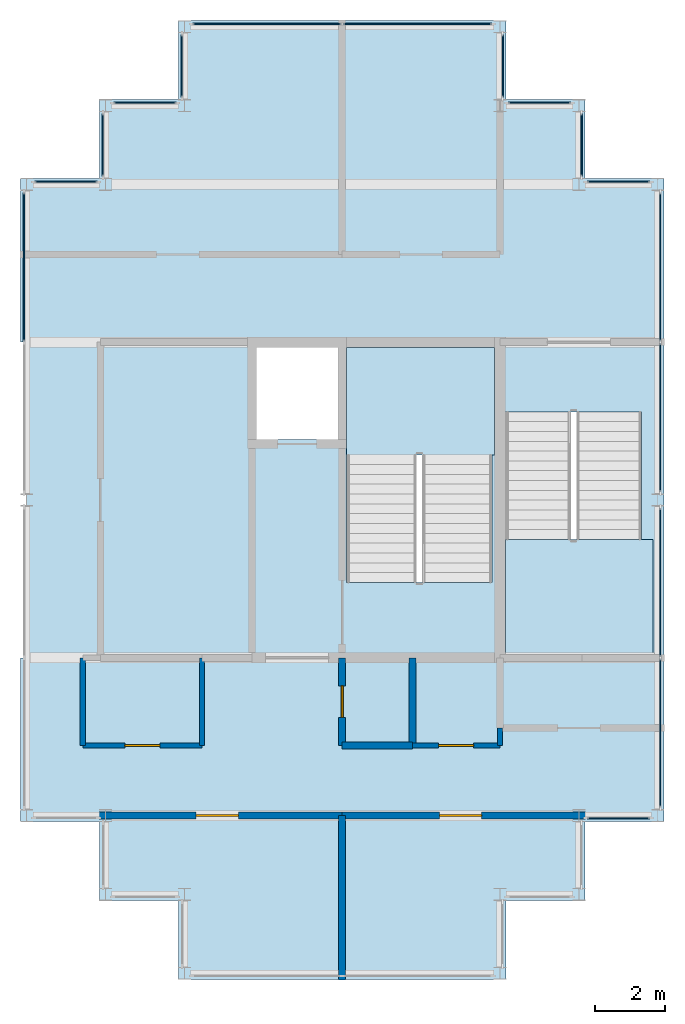
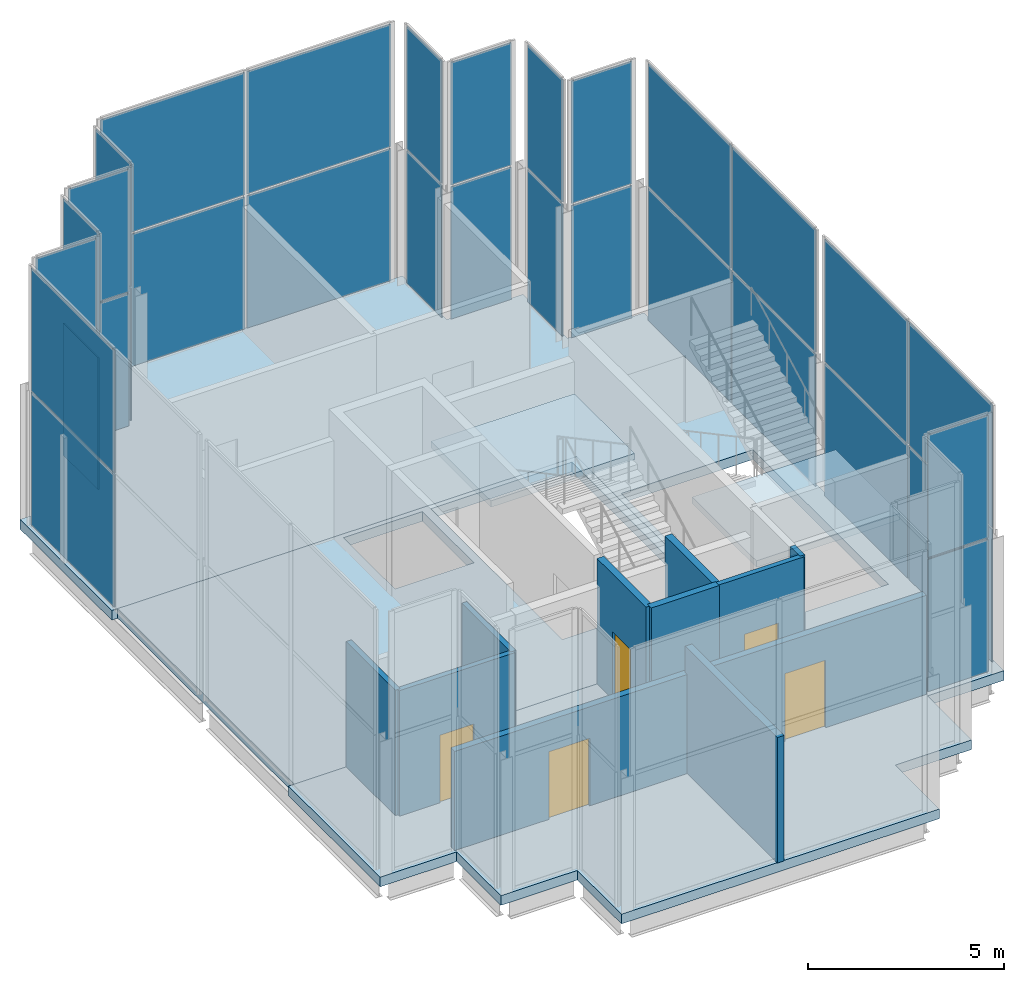
# One storey, part 4 of 8: 32 plates, 11 walls, 5 doors, 4 slabs, 5 openings, 15 elements without a shape of their own.
"""IFC4 building model written with IfcOpenShell, lengths in metres."""

from ifc_helpers import new_model, si_unit, direction, frame, frame_2d, origin, origin_2d, place, context, subcontext, project, spatial, polyline, rectangle, outline, extrude, material, layer, layer_set, type_object, element, fill, aggregate, save


model = new_model("IFC4")

# Units and contexts
model_context = context("Model", 3, precision=1e-05, world=origin(), true_north=direction((0.0, 1.0)))
body_context = subcontext(model_context, "Body", "Model", "MODEL_VIEW")
ifc_project = project(units=[si_unit("LENGTHUNIT", "METRE"), si_unit("AREAUNIT", "SQUARE_METRE"), si_unit("VOLUMEUNIT", "CUBIC_METRE"), si_unit("PLANEANGLEUNIT", "RADIAN"), si_unit("MASSUNIT", "GRAM", prefix="KILO")], contexts=[model_context])

# Site, building, storey
site_placement = place(None, origin())
site = spatial("IfcSite", under=ifc_project, at=site_placement, CompositionType="ELEMENT")
building_placement = place(site_placement, origin())
building = spatial("IfcBuilding", under=site, at=building_placement, Name="Caravel Reach Hotel and Residences", CompositionType="ELEMENT")
storey_placement = place(building_placement, frame((0.0, 0.0, 325.39990234375)))
storey = spatial("IfcBuildingStorey", under=building, at=storey_placement, Name="L82", CompositionType="ELEMENT", Elevation=325.39990234375)

# Curtain wall, plates
ifc_material_1 = material(Name="Dark low-e glazing in black aluminium frame", Category="aluminium")
ifc_layer_1 = layer(ifc_material_1, 0.199951171875)
ifc_layer_set_1 = layer_set([ifc_layer_1], Name="CW4 Crown glazing")
curtain_wall_type = type_object("IfcCurtainWallType", Name="CW4 Crown glazing", PredefinedType="NOTDEFINED", material=ifc_layer_set_1)
curtain_wall_1_placement = place(storey_placement, origin())
curtain_wall_1 = element("IfcCurtainWall", 1, at=curtain_wall_1_placement, inside=storey, type_object=curtain_wall_type, Name="Crown glazing b0", PredefinedType="NOTDEFINED")
ifc_material_2 = material(Name="Dark laminated low-e glass", Category="glass")
ifc_layer_2 = layer(ifc_material_2, 0.031982421875)
ifc_layer_set_2 = layer_set([ifc_layer_2], Name="CW glass panel 32")
plate_type = type_object("IfcPlateType", Name="CW glass panel 32", PredefinedType="CURTAIN_PANEL", material=ifc_layer_set_2)
plate_1_placement = place(storey_placement, frame((48.375, 17.925048828125, 0.06005859375), z_axis=(0.0, 0.0, 1.0), x_axis=(1.0, 0.0, 0.0)))
plate_1 = element("IfcPlate", 2, at=plate_1_placement, type_object=plate_type, Name="CW4 panel 1.1", PredefinedType="CURTAIN_PANEL", context=body_context, shape_type="SweptSolid", body=[
    extrude(rectangle(XDim=1.780029296875, YDim=0.031982421875, at=origin_2d()), origin(), (0.0, 0.0, 1.0), 4.110107421875),
])
plate_2_placement = place(storey_placement, frame((48.375, 17.925048828125, 4.22998046875), z_axis=(0.0, 0.0, 1.0), x_axis=(1.0, 0.0, 0.0)))
plate_2 = element("IfcPlate", 3, at=plate_2_placement, type_object=plate_type, Name="CW4 panel 1.2", PredefinedType="CURTAIN_PANEL", context=body_context, shape_type="SweptSolid", body=[
    extrude(rectangle(XDim=1.780029296875, YDim=0.031982421875, at=origin_2d()), origin(), (0.0, 0.0, 1.0), 3.81005859375),
])
aggregate(curtain_wall_1, [plate_1, plate_2])

curtain_wall_2_placement = place(storey_placement, origin())
curtain_wall_2 = element("IfcCurtainWall", 4, at=curtain_wall_2_placement, inside=storey, type_object=curtain_wall_type, Name="Crown glazing b0", PredefinedType="NOTDEFINED")
plate_3_placement = place(storey_placement, frame((49.574951171875, 20.3525390625, 0.06005859375), z_axis=(0.0, 0.0, 1.0), x_axis=(0.0, 1.0, 0.0)))
plate_3 = element("IfcPlate", 5, at=plate_3_placement, type_object=plate_type, Name="CW4 panel 1.1", PredefinedType="CURTAIN_PANEL", context=body_context, shape_type="SweptSolid", body=[
    extrude(rectangle(XDim=4.235107421875, YDim=0.031982421875, at=origin_2d()), origin(), (0.0, 0.0, 1.0), 4.110107421875),
])
plate_4_placement = place(storey_placement, frame((49.574951171875, 20.3525390625, 4.22998046875), z_axis=(0.0, 0.0, 1.0), x_axis=(0.0, 1.0, 0.0)))
plate_4 = element("IfcPlate", 6, at=plate_4_placement, type_object=plate_type, Name="CW4 panel 1.2", PredefinedType="CURTAIN_PANEL", context=body_context, shape_type="SweptSolid", body=[
    extrude(rectangle(XDim=4.235107421875, YDim=0.031982421875, at=origin_2d()), origin(), (0.0, 0.0, 1.0), 3.81005859375),
])
plate_5_placement = place(storey_placement, frame((49.574951171875, 24.6474609375, 0.06005859375), z_axis=(0.0, 0.0, 1.0), x_axis=(0.0, 1.0, 0.0)))
plate_5 = element("IfcPlate", 7, at=plate_5_placement, type_object=plate_type, Name="CW4 panel 2.1", PredefinedType="CURTAIN_PANEL", context=body_context, shape_type="SweptSolid", body=[
    extrude(rectangle(XDim=4.235107421875, YDim=0.031982421875, at=origin_2d()), origin(), (0.0, 0.0, 1.0), 4.110107421875),
])
plate_6_placement = place(storey_placement, frame((49.574951171875, 24.6474609375, 4.22998046875), z_axis=(0.0, 0.0, 1.0), x_axis=(0.0, 1.0, 0.0)))
plate_6 = element("IfcPlate", 8, at=plate_6_placement, type_object=plate_type, Name="CW4 panel 2.2", PredefinedType="CURTAIN_PANEL", context=body_context, shape_type="SweptSolid", body=[
    extrude(rectangle(XDim=4.235107421875, YDim=0.031982421875, at=origin_2d()), origin(), (0.0, 0.0, 1.0), 3.81005859375),
])
aggregate(curtain_wall_2, [plate_3, plate_4, plate_5, plate_6])

curtain_wall_3_placement = place(storey_placement, origin())
curtain_wall_3 = element("IfcCurtainWall", 9, at=curtain_wall_3_placement, inside=storey, type_object=curtain_wall_type, Name="Crown glazing b1", PredefinedType="NOTDEFINED")
plate_7_placement = place(storey_placement, frame((49.574951171875, 29.3525390625, 0.06005859375), z_axis=(0.0, 0.0, 1.0), x_axis=(0.0, 1.0, 0.0)))
plate_7 = element("IfcPlate", 10, at=plate_7_placement, type_object=plate_type, Name="CW4 panel 1.1", PredefinedType="CURTAIN_PANEL", context=body_context, shape_type="SweptSolid", body=[
    extrude(rectangle(XDim=4.235107421875, YDim=0.031982421875, at=origin_2d()), origin(), (0.0, 0.0, 1.0), 4.110107421875),
])
plate_8_placement = place(storey_placement, frame((49.574951171875, 29.3525390625, 4.22998046875), z_axis=(0.0, 0.0, 1.0), x_axis=(0.0, 1.0, 0.0)))
plate_8 = element("IfcPlate", 11, at=plate_8_placement, type_object=plate_type, Name="CW4 panel 1.2", PredefinedType="CURTAIN_PANEL", context=body_context, shape_type="SweptSolid", body=[
    extrude(rectangle(XDim=4.235107421875, YDim=0.031982421875, at=origin_2d()), origin(), (0.0, 0.0, 1.0), 3.81005859375),
])
plate_9_placement = place(storey_placement, frame((49.574951171875, 33.6474609375, 0.06005859375), z_axis=(0.0, 0.0, 1.0), x_axis=(0.0, 1.0, 0.0)))
plate_9 = element("IfcPlate", 12, at=plate_9_placement, type_object=plate_type, Name="CW4 panel 2.1", PredefinedType="CURTAIN_PANEL", context=body_context, shape_type="SweptSolid", body=[
    extrude(rectangle(XDim=4.235107421875, YDim=0.031982421875, at=origin_2d()), origin(), (0.0, 0.0, 1.0), 4.110107421875),
])
plate_10_placement = place(storey_placement, frame((49.574951171875, 33.6474609375, 4.22998046875), z_axis=(0.0, 0.0, 1.0), x_axis=(0.0, 1.0, 0.0)))
plate_10 = element("IfcPlate", 13, at=plate_10_placement, type_object=plate_type, Name="CW4 panel 2.2", PredefinedType="CURTAIN_PANEL", context=body_context, shape_type="SweptSolid", body=[
    extrude(rectangle(XDim=4.235107421875, YDim=0.031982421875, at=origin_2d()), origin(), (0.0, 0.0, 1.0), 3.81005859375),
])
aggregate(curtain_wall_3, [plate_7, plate_8, plate_9, plate_10])

curtain_wall_4_placement = place(storey_placement, origin())
curtain_wall_4 = element("IfcCurtainWall", 14, at=curtain_wall_4_placement, inside=storey, type_object=curtain_wall_type, Name="Crown glazing b0", PredefinedType="NOTDEFINED")
plate_11_placement = place(storey_placement, frame((48.375, 36.074951171875, 0.06005859375), z_axis=(0.0, 0.0, 1.0), x_axis=(-1.0, 0.0, 0.0)))
plate_11 = element("IfcPlate", 15, at=plate_11_placement, type_object=plate_type, Name="CW4 panel 1.1", PredefinedType="CURTAIN_PANEL", context=body_context, shape_type="SweptSolid", body=[
    extrude(rectangle(XDim=1.780029296875, YDim=0.031982421875, at=origin_2d()), origin(), (0.0, 0.0, 1.0), 4.110107421875),
])
plate_12_placement = place(storey_placement, frame((48.375, 36.074951171875, 4.22998046875), z_axis=(0.0, 0.0, 1.0), x_axis=(-1.0, 0.0, 0.0)))
plate_12 = element("IfcPlate", 16, at=plate_12_placement, type_object=plate_type, Name="CW4 panel 1.2", PredefinedType="CURTAIN_PANEL", context=body_context, shape_type="SweptSolid", body=[
    extrude(rectangle(XDim=1.780029296875, YDim=0.031982421875, at=origin_2d()), origin(), (0.0, 0.0, 1.0), 3.81005859375),
])
aggregate(curtain_wall_4, [plate_11, plate_12])

curtain_wall_5_placement = place(storey_placement, origin())
curtain_wall_5 = element("IfcCurtainWall", 17, at=curtain_wall_5_placement, inside=storey, type_object=curtain_wall_type, Name="Crown glazing b0", PredefinedType="NOTDEFINED")
plate_13_placement = place(storey_placement, frame((47.324951171875, 37.125, 0.06005859375), z_axis=(0.0, 0.0, 1.0), x_axis=(0.0, 1.0, 0.0)))
plate_13 = element("IfcPlate", 18, at=plate_13_placement, type_object=plate_type, Name="CW4 panel 1.1", PredefinedType="CURTAIN_PANEL", context=body_context, shape_type="SweptSolid", body=[
    extrude(rectangle(XDim=1.780029296875, YDim=0.031982421875, at=origin_2d()), origin(), (0.0, 0.0, 1.0), 4.110107421875),
])
plate_14_placement = place(storey_placement, frame((47.324951171875, 37.125, 4.22998046875), z_axis=(0.0, 0.0, 1.0), x_axis=(0.0, 1.0, 0.0)))
plate_14 = element("IfcPlate", 19, at=plate_14_placement, type_object=plate_type, Name="CW4 panel 1.2", PredefinedType="CURTAIN_PANEL", context=body_context, shape_type="SweptSolid", body=[
    extrude(rectangle(XDim=1.780029296875, YDim=0.031982421875, at=origin_2d()), origin(), (0.0, 0.0, 1.0), 3.81005859375),
])
aggregate(curtain_wall_5, [plate_13, plate_14])

curtain_wall_6_placement = place(storey_placement, origin())
curtain_wall_6 = element("IfcCurtainWall", 20, at=curtain_wall_6_placement, inside=storey, type_object=curtain_wall_type, Name="Crown glazing b0", PredefinedType="NOTDEFINED")
plate_15_placement = place(storey_placement, frame((46.125, 38.324951171875, 0.06005859375), z_axis=(0.0, 0.0, 1.0), x_axis=(-1.0, 0.0, 0.0)))
plate_15 = element("IfcPlate", 21, at=plate_15_placement, type_object=plate_type, Name="CW4 panel 1.1", PredefinedType="CURTAIN_PANEL", context=body_context, shape_type="SweptSolid", body=[
    extrude(rectangle(XDim=1.780029296875, YDim=0.031982421875, at=origin_2d()), origin(), (0.0, 0.0, 1.0), 4.110107421875),
])
plate_16_placement = place(storey_placement, frame((46.125, 38.324951171875, 4.22998046875), z_axis=(0.0, 0.0, 1.0), x_axis=(-1.0, 0.0, 0.0)))
plate_16 = element("IfcPlate", 22, at=plate_16_placement, type_object=plate_type, Name="CW4 panel 1.2", PredefinedType="CURTAIN_PANEL", context=body_context, shape_type="SweptSolid", body=[
    extrude(rectangle(XDim=1.780029296875, YDim=0.031982421875, at=origin_2d()), origin(), (0.0, 0.0, 1.0), 3.81005859375),
])
aggregate(curtain_wall_6, [plate_15, plate_16])

curtain_wall_7_placement = place(storey_placement, origin())
curtain_wall_7 = element("IfcCurtainWall", 23, at=curtain_wall_7_placement, inside=storey, type_object=curtain_wall_type, Name="Crown glazing b0", PredefinedType="NOTDEFINED")
plate_17_placement = place(storey_placement, frame((45.074951171875, 39.375, 0.06005859375), z_axis=(0.0, 0.0, 1.0), x_axis=(0.0, 1.0, 0.0)))
plate_17 = element("IfcPlate", 24, at=plate_17_placement, type_object=plate_type, Name="CW4 panel 1.1", PredefinedType="CURTAIN_PANEL", context=body_context, shape_type="SweptSolid", body=[
    extrude(rectangle(XDim=1.780029296875, YDim=0.031982421875, at=origin_2d()), origin(), (0.0, 0.0, 1.0), 4.110107421875),
])
plate_18_placement = place(storey_placement, frame((45.074951171875, 39.375, 4.22998046875), z_axis=(0.0, 0.0, 1.0), x_axis=(0.0, 1.0, 0.0)))
plate_18 = element("IfcPlate", 25, at=plate_18_placement, type_object=plate_type, Name="CW4 panel 1.2", PredefinedType="CURTAIN_PANEL", context=body_context, shape_type="SweptSolid", body=[
    extrude(rectangle(XDim=1.780029296875, YDim=0.031982421875, at=origin_2d()), origin(), (0.0, 0.0, 1.0), 3.81005859375),
])
aggregate(curtain_wall_7, [plate_17, plate_18])

curtain_wall_8_placement = place(storey_placement, origin())
curtain_wall_8 = element("IfcCurtainWall", 26, at=curtain_wall_8_placement, inside=storey, type_object=curtain_wall_type, Name="Crown glazing b0", PredefinedType="NOTDEFINED")
plate_19_placement = place(storey_placement, frame((42.6474609375, 40.574951171875, 0.06005859375), z_axis=(0.0, 0.0, 1.0), x_axis=(-1.0, 0.0, 0.0)))
plate_19 = element("IfcPlate", 27, at=plate_19_placement, type_object=plate_type, Name="CW4 panel 1.1", PredefinedType="CURTAIN_PANEL", context=body_context, shape_type="SweptSolid", body=[
    extrude(rectangle(XDim=4.235107421875, YDim=0.031982421875, at=origin_2d()), origin(), (0.0, 0.0, 1.0), 4.110107421875),
])
plate_20_placement = place(storey_placement, frame((42.6474609375, 40.574951171875, 4.22998046875), z_axis=(0.0, 0.0, 1.0), x_axis=(-1.0, 0.0, 0.0)))
plate_20 = element("IfcPlate", 28, at=plate_20_placement, type_object=plate_type, Name="CW4 panel 1.2", PredefinedType="CURTAIN_PANEL", context=body_context, shape_type="SweptSolid", body=[
    extrude(rectangle(XDim=4.235107421875, YDim=0.031982421875, at=origin_2d()), origin(), (0.0, 0.0, 1.0), 3.81005859375),
])
plate_21_placement = place(storey_placement, frame((38.3525390625, 40.574951171875, 0.06005859375), z_axis=(0.0, 0.0, 1.0), x_axis=(-1.0, 0.0, 0.0)))
plate_21 = element("IfcPlate", 29, at=plate_21_placement, type_object=plate_type, Name="CW4 panel 2.1", PredefinedType="CURTAIN_PANEL", context=body_context, shape_type="SweptSolid", body=[
    extrude(rectangle(XDim=4.235107421875, YDim=0.031982421875, at=origin_2d()), origin(), (0.0, 0.0, 1.0), 4.110107421875),
])
plate_22_placement = place(storey_placement, frame((38.3525390625, 40.574951171875, 4.22998046875), z_axis=(0.0, 0.0, 1.0), x_axis=(-1.0, 0.0, 0.0)))
plate_22 = element("IfcPlate", 30, at=plate_22_placement, type_object=plate_type, Name="CW4 panel 2.2", PredefinedType="CURTAIN_PANEL", context=body_context, shape_type="SweptSolid", body=[
    extrude(rectangle(XDim=4.235107421875, YDim=0.031982421875, at=origin_2d()), origin(), (0.0, 0.0, 1.0), 3.81005859375),
])
aggregate(curtain_wall_8, [plate_19, plate_20, plate_21, plate_22])

curtain_wall_9_placement = place(storey_placement, origin())
curtain_wall_9 = element("IfcCurtainWall", 31, at=curtain_wall_9_placement, inside=storey, type_object=curtain_wall_type, Name="Crown glazing b0", PredefinedType="NOTDEFINED")
plate_23_placement = place(storey_placement, frame((35.925048828125, 39.375, 0.06005859375), z_axis=(0.0, 0.0, 1.0), x_axis=(0.0, -1.0, 0.0)))
plate_23 = element("IfcPlate", 32, at=plate_23_placement, type_object=plate_type, Name="CW4 panel 1.1", PredefinedType="CURTAIN_PANEL", context=body_context, shape_type="SweptSolid", body=[
    extrude(rectangle(XDim=1.780029296875, YDim=0.031982421875, at=origin_2d()), origin(), (0.0, 0.0, 1.0), 4.110107421875),
])
plate_24_placement = place(storey_placement, frame((35.925048828125, 39.375, 4.22998046875), z_axis=(0.0, 0.0, 1.0), x_axis=(0.0, -1.0, 0.0)))
plate_24 = element("IfcPlate", 33, at=plate_24_placement, type_object=plate_type, Name="CW4 panel 1.2", PredefinedType="CURTAIN_PANEL", context=body_context, shape_type="SweptSolid", body=[
    extrude(rectangle(XDim=1.780029296875, YDim=0.031982421875, at=origin_2d()), origin(), (0.0, 0.0, 1.0), 3.81005859375),
])
aggregate(curtain_wall_9, [plate_23, plate_24])

curtain_wall_10_placement = place(storey_placement, origin())
curtain_wall_10 = element("IfcCurtainWall", 34, at=curtain_wall_10_placement, inside=storey, type_object=curtain_wall_type, Name="Crown glazing b0", PredefinedType="NOTDEFINED")
plate_25_placement = place(storey_placement, frame((34.875, 38.324951171875, 0.06005859375), z_axis=(0.0, 0.0, 1.0), x_axis=(-1.0, 0.0, 0.0)))
plate_25 = element("IfcPlate", 35, at=plate_25_placement, type_object=plate_type, Name="CW4 panel 1.1", PredefinedType="CURTAIN_PANEL", context=body_context, shape_type="SweptSolid", body=[
    extrude(rectangle(XDim=1.780029296875, YDim=0.031982421875, at=origin_2d()), origin(), (0.0, 0.0, 1.0), 4.110107421875),
])
plate_26_placement = place(storey_placement, frame((34.875, 38.324951171875, 4.22998046875), z_axis=(0.0, 0.0, 1.0), x_axis=(-1.0, 0.0, 0.0)))
plate_26 = element("IfcPlate", 36, at=plate_26_placement, type_object=plate_type, Name="CW4 panel 1.2", PredefinedType="CURTAIN_PANEL", context=body_context, shape_type="SweptSolid", body=[
    extrude(rectangle(XDim=1.780029296875, YDim=0.031982421875, at=origin_2d()), origin(), (0.0, 0.0, 1.0), 3.81005859375),
])
aggregate(curtain_wall_10, [plate_25, plate_26])

curtain_wall_11_placement = place(storey_placement, origin())
curtain_wall_11 = element("IfcCurtainWall", 37, at=curtain_wall_11_placement, inside=storey, type_object=curtain_wall_type, Name="Crown glazing b0", PredefinedType="NOTDEFINED")
plate_27_placement = place(storey_placement, frame((33.675048828125, 37.125, 0.06005859375), z_axis=(0.0, 0.0, 1.0), x_axis=(0.0, -1.0, 0.0)))
plate_27 = element("IfcPlate", 38, at=plate_27_placement, type_object=plate_type, Name="CW4 panel 1.1", PredefinedType="CURTAIN_PANEL", context=body_context, shape_type="SweptSolid", body=[
    extrude(rectangle(XDim=1.780029296875, YDim=0.031982421875, at=origin_2d()), origin(), (0.0, 0.0, 1.0), 4.110107421875),
])
plate_28_placement = place(storey_placement, frame((33.675048828125, 37.125, 4.22998046875), z_axis=(0.0, 0.0, 1.0), x_axis=(0.0, -1.0, 0.0)))
plate_28 = element("IfcPlate", 39, at=plate_28_placement, type_object=plate_type, Name="CW4 panel 1.2", PredefinedType="CURTAIN_PANEL", context=body_context, shape_type="SweptSolid", body=[
    extrude(rectangle(XDim=1.780029296875, YDim=0.031982421875, at=origin_2d()), origin(), (0.0, 0.0, 1.0), 3.81005859375),
])
aggregate(curtain_wall_11, [plate_27, plate_28])

curtain_wall_12_placement = place(storey_placement, origin())
curtain_wall_12 = element("IfcCurtainWall", 40, at=curtain_wall_12_placement, inside=storey, type_object=curtain_wall_type, Name="Crown glazing b0", PredefinedType="NOTDEFINED")
plate_29_placement = place(storey_placement, frame((32.625, 36.074951171875, 0.06005859375), z_axis=(0.0, 0.0, 1.0), x_axis=(-1.0, 0.0, 0.0)))
plate_29 = element("IfcPlate", 41, at=plate_29_placement, type_object=plate_type, Name="CW4 panel 1.1", PredefinedType="CURTAIN_PANEL", context=body_context, shape_type="SweptSolid", body=[
    extrude(rectangle(XDim=1.780029296875, YDim=0.031982421875, at=origin_2d()), origin(), (0.0, 0.0, 1.0), 4.110107421875),
])
plate_30_placement = place(storey_placement, frame((32.625, 36.074951171875, 4.22998046875), z_axis=(0.0, 0.0, 1.0), x_axis=(-1.0, 0.0, 0.0)))
plate_30 = element("IfcPlate", 42, at=plate_30_placement, type_object=plate_type, Name="CW4 panel 1.2", PredefinedType="CURTAIN_PANEL", context=body_context, shape_type="SweptSolid", body=[
    extrude(rectangle(XDim=1.780029296875, YDim=0.031982421875, at=origin_2d()), origin(), (0.0, 0.0, 1.0), 3.81005859375),
])
aggregate(curtain_wall_12, [plate_29, plate_30])

curtain_wall_13_placement = place(storey_placement, origin())
curtain_wall_13 = element("IfcCurtainWall", 43, at=curtain_wall_13_placement, inside=storey, type_object=curtain_wall_type, Name="Crown glazing b0", PredefinedType="NOTDEFINED")
plate_31_placement = place(storey_placement, frame((31.425048828125, 33.6474609375, 0.06005859375), z_axis=(0.0, 0.0, 1.0), x_axis=(0.0, -1.0, 0.0)))
plate_31 = element("IfcPlate", 44, at=plate_31_placement, type_object=plate_type, Name="CW4 panel 1.1", PredefinedType="CURTAIN_PANEL", context=body_context, shape_type="SweptSolid", body=[
    extrude(rectangle(XDim=4.235107421875, YDim=0.031982421875, at=origin_2d()), origin(), (0.0, 0.0, 1.0), 4.110107421875),
])
plate_32_placement = place(storey_placement, frame((31.425048828125, 33.6474609375, 4.22998046875), z_axis=(0.0, 0.0, 1.0), x_axis=(0.0, -1.0, 0.0)))
plate_32 = element("IfcPlate", 45, at=plate_32_placement, type_object=plate_type, Name="CW4 panel 1.2", PredefinedType="CURTAIN_PANEL", context=body_context, shape_type="SweptSolid", body=[
    extrude(rectangle(XDim=4.235107421875, YDim=0.031982421875, at=origin_2d()), origin(), (0.0, 0.0, 1.0), 3.81005859375),
])
aggregate(curtain_wall_13, [plate_31, plate_32])

# Slab
ifc_material_3 = material(Name="Concrete C40", Category="concrete")
ifc_layer_3 = layer(ifc_material_3, 0.300048828125)
ifc_layer_set_3 = layer_set([ifc_layer_3], Name="Core floor slab 300 mm")
slab_type_1 = type_object("IfcSlabType", Name="Core floor slab 300 mm", PredefinedType="FLOOR", material=ifc_layer_set_3)
slab_1_placement = place(storey_placement, frame((0.0, 0.0, -0.2998046875)))
element("IfcSlab", 46, at=slab_1_placement, inside=storey, type_object=slab_type_1, Name="L82 core floor", PredefinedType="FLOOR", context=body_context, shape_type="SweptSolid", body=[
    extrude(outline(polyline([(45.0, 22.5), (31.5, 22.5), (31.5, 31.5), (45.0, 31.5), (45.0, 22.5)]), holes=[polyline([(44.77490234375, 24.64990234375), (44.77490234375, 31.35009765625), (40.625, 31.35009765625), (40.625, 24.64990234375), (44.77490234375, 24.64990234375)]), polyline([(40.375, 28.72509765625), (40.375, 31.35009765625), (38.0537109375, 31.35009765625), (38.0537109375, 28.72509765625), (40.375, 28.72509765625)])]), origin(), (0.0, 0.0, 1.0), 0.2998046875),
])

# Stair, slab
ifc_material_4 = material(Name="Concrete C40", Category="concrete")
stair_type = type_object("IfcStairType", Name="Core stair", PredefinedType="HALF_TURN_STAIR", material=ifc_material_4)
stair_1_placement = place(storey_placement, origin())
stair_1 = element("IfcStair", 47, at=stair_1_placement, inside=storey, type_object=stair_type, Name="L82 Exit stair B", PredefinedType="HALF_TURN_STAIR")
ifc_material_5 = material(Name="Concrete C40", Category="concrete")
ifc_layer_4 = layer(ifc_material_5, 0.199951171875)
ifc_layer_set_4 = layer_set([ifc_layer_4], Name="Core stair landing")
slab_type_2 = type_object("IfcSlabType", Name="Core stair landing", PredefinedType="LANDING", material=ifc_layer_set_4)
slab_2_placement = place(storey_placement, frame((0.0, 0.0, 1.900146484375)))
slab_2 = element("IfcSlab", 48, at=slab_2_placement, type_object=slab_type_2, Name="ST-B landing 1", PredefinedType="LANDING", context=body_context, shape_type="SweptSolid", body=[
    extrude(outline(polyline([(44.85009765625, 28.2900390625), (44.85009765625, 31.35009765625), (40.625, 31.35009765625), (40.625, 28.2900390625), (44.85009765625, 28.2900390625)])), origin(), (0.0, 0.0, 1.0), 0.199951171875),
])
aggregate(stair_1, [slab_2])

stair_2_placement = place(storey_placement, origin())
stair_2 = element("IfcStair", 49, at=stair_2_placement, inside=storey, type_object=stair_type, Name="L82 Exit stair C", PredefinedType="HALF_TURN_STAIR")
slab_3_placement = place(storey_placement, frame((0.0, 0.0, 1.900146484375)))
slab_3 = element("IfcSlab", 50, at=slab_3_placement, type_object=slab_type_2, Name="ST-C landing 1", PredefinedType="LANDING", context=body_context, shape_type="SweptSolid", body=[
    extrude(outline(polyline([(45.14990234375, 25.875), (45.14990234375, 22.60009765625), (49.3701171875, 22.60009765625), (49.3701171875, 25.875), (45.14990234375, 25.875)])), origin(), (0.0, 0.0, 1.0), 0.199951171875),
])
aggregate(stair_2, [slab_3])

# Slab
ifc_material_6 = material(Name="Concrete C40 post-tensioned", Category="concrete")
ifc_layer_5 = layer(ifc_material_6, 0.300048828125)
ifc_layer_set_5 = layer_set([ifc_layer_5], Name="Floor slab 300")
slab_type_3 = type_object("IfcSlabType", Name="Floor slab 300", PredefinedType="FLOOR", material=ifc_layer_set_5)
slab_4_placement = place(storey_placement, frame((0.0, 0.0, -0.2998046875)))
element("IfcSlab", 51, at=slab_4_placement, inside=storey, type_object=slab_type_3, Name="S2 slab L82", PredefinedType="FLOOR", context=body_context, shape_type="SweptSolid", body=[
    extrude(outline(polyline([(33.574951171875, 17.824951171875), (31.324951171875, 17.824951171875), (31.324951171875, 22.5), (40.5, 22.5), (45.0, 22.5), (45.0, 31.5), (40.5, 31.5), (31.324951171875, 31.5), (31.324951171875, 36.175048828125), (33.574951171875, 36.175048828125), (33.574951171875, 38.425048828125), (35.824951171875, 38.425048828125), (35.824951171875, 40.675048828125), (45.175048828125, 40.675048828125), (45.175048828125, 38.425048828125), (47.425048828125, 38.425048828125), (47.425048828125, 36.175048828125), (49.675048828125, 36.175048828125), (49.675048828125, 17.824951171875), (47.425048828125, 17.824951171875), (47.425048828125, 15.574951171875), (45.175048828125, 15.574951171875), (45.175048828125, 13.324951171875), (35.824951171875, 13.324951171875), (35.824951171875, 15.574951171875), (33.574951171875, 15.574951171875), (33.574951171875, 17.824951171875)]), holes=[polyline([(45.159912109375, 22.6201171875), (49.0400390625, 22.6201171875), (49.0400390625, 29.514892578125), (45.159912109375, 29.514892578125), (45.159912109375, 22.6201171875)])]), origin(), (0.0, 0.0, 1.0), 0.2998046875),
])

# Wall, opening, door
ifc_material_7 = material(Name="Autoclaved aerated block wall")
ifc_layer_6 = layer(ifc_material_7, 0.199951171875)
ifc_layer_set_6 = layer_set([ifc_layer_6], Name="Compartment wall 200 mm EI 120")
wall_type_1 = type_object("IfcWallType", Name="Compartment wall 200 mm EI 120", PredefinedType="PARTITIONING", material=ifc_layer_set_6)
wall_1_placement = place(storey_placement, frame((33.56005859375, 18.0, 0.0), z_axis=(0.0, 0.0, 1.0), x_axis=(1.0, 0.0, 0.0)))
wall_1 = element("IfcWall", 52, at=wall_1_placement, inside=storey, type_object=wall_type_1, Name="L82 wall w007", PredefinedType="PARTITIONING", context=body_context, shape_type="SweptSolid", body=[
    extrude(rectangle(XDim=6.93994140625, YDim=0.199951171875, at=frame_2d((3.469970703125, 0.0))), origin(), (0.0, 0.0, 1.0), 3.080078125),
])
opening_1_placement = place(wall_1_placement, frame((2.77490234375, 0.0, 0.0)))
opening_1 = element("IfcOpeningElement", 53, at=opening_1_placement, cuts=wall_1, Name="Opening D82-007", PredefinedType="OPENING", context=body_context, shape_type="SweptSolid", body=[
    extrude(rectangle(XDim=1.199951171875, YDim=2.10009765625, at=frame_2d((0.60009765625, 1.050048828125))), frame((0.0, 0.10986328125, 0.0), z_axis=(0.0, -1.0, 0.0), x_axis=(1.0, 0.0, 0.0)), (0.0, 0.0, 1.0), 0.219970703125),
])
ifc_material_8 = material(Name="Steel fire door leaf", Category="steel")
door_type_1 = type_object("IfcDoorType", Name="Plant room door 1200 x 2100 EI 60", OperationType="SINGLE_SWING_LEFT", PredefinedType="DOOR", material=ifc_material_8)
door_1_placement = place(opening_1_placement, origin())
door_1 = element("IfcDoor", 54, at=door_1_placement, inside=storey, type_object=door_type_1, Name="door D82-007", OperationType="SINGLE_SWING_LEFT", OverallHeight=2.10009765625, OverallWidth=1.199951171875, PredefinedType="DOOR", context=body_context, shape_type="SweptSolid", body=[
    extrude(rectangle(XDim=1.199951171875, YDim=2.10009765625, at=frame_2d((0.60009765625, 1.050048828125))), frame((0.0, 0.02490234375, 0.0), z_axis=(0.0, -1.0, 0.0), x_axis=(1.0, 0.0, 0.0)), (0.0, 0.0, 1.0), 0.050048828125),
])
fill(opening_1, door_1)

wall_2_placement = place(storey_placement, frame((40.5, 18.0, 0.0), z_axis=(0.0, 0.0, 1.0), x_axis=(1.0, 0.0, 0.0)))
wall_2 = element("IfcWall", 55, at=wall_2_placement, inside=storey, type_object=wall_type_1, Name="L82 wall w008", PredefinedType="PARTITIONING", context=body_context, shape_type="SweptSolid", body=[
    extrude(rectangle(XDim=6.93994140625, YDim=0.199951171875, at=frame_2d((3.469970703125, 0.0))), origin(), (0.0, 0.0, 1.0), 3.080078125),
])
opening_2_placement = place(wall_2_placement, frame((2.77490234375, 0.0, 0.0)))
opening_2 = element("IfcOpeningElement", 56, at=opening_2_placement, cuts=wall_2, Name="Opening D82-008", PredefinedType="OPENING", context=body_context, shape_type="SweptSolid", body=[
    extrude(rectangle(XDim=1.199951171875, YDim=2.10009765625, at=frame_2d((0.60009765625, 1.050048828125))), frame((0.0, 0.10986328125, 0.0), z_axis=(0.0, -1.0, 0.0), x_axis=(1.0, 0.0, 0.0)), (0.0, 0.0, 1.0), 0.219970703125),
])
door_2_placement = place(opening_2_placement, origin())
door_2 = element("IfcDoor", 57, at=door_2_placement, inside=storey, type_object=door_type_1, Name="door D82-008", OperationType="SINGLE_SWING_RIGHT", OverallHeight=2.10009765625, OverallWidth=1.199951171875, PredefinedType="DOOR", context=body_context, shape_type="SweptSolid", body=[
    extrude(rectangle(XDim=1.199951171875, YDim=2.10009765625, at=frame_2d((0.60009765625, 1.050048828125))), frame((0.0, 0.02490234375, 0.0), z_axis=(0.0, -1.0, 0.0), x_axis=(1.0, 0.0, 0.0)), (0.0, 0.0, 1.0), 0.050048828125),
])
fill(opening_2, door_2)

# Wall
wall_3_placement = place(storey_placement, frame((40.5, 20.0, 0.0), z_axis=(0.0, 0.0, 1.0), x_axis=(1.0, 0.0, 0.0)))
element("IfcWall", 58, at=wall_3_placement, inside=storey, type_object=wall_type_1, Name="L82 wall w009", PredefinedType="PARTITIONING", context=body_context, shape_type="SweptSolid", body=[
    extrude(rectangle(XDim=2.0, YDim=0.199951171875, at=frame_2d((1.0, 0.0))), origin(), (0.0, 0.0, 1.0), 3.900146484375),
])

# Wall, opening, door
wall_4_placement = place(storey_placement, frame((40.5, 20.0, 0.0), z_axis=(0.0, 0.0, 1.0), x_axis=(0.0, 1.0, 0.0)))
wall_4 = element("IfcWall", 59, at=wall_4_placement, inside=storey, type_object=wall_type_1, Name="L82 wall w017", PredefinedType="PARTITIONING", context=body_context, shape_type="SweptSolid", body=[
    extrude(rectangle(XDim=2.5, YDim=0.199951171875, at=frame_2d((1.25, 0.0))), origin(), (0.0, 0.0, 1.0), 3.900146484375),
])
opening_3_placement = place(wall_4_placement, frame((0.800048828125, 0.0, 0.0)))
opening_3 = element("IfcOpeningElement", 60, at=opening_3_placement, cuts=wall_4, Name="Opening D82-005", PredefinedType="OPENING", context=body_context, shape_type="SweptSolid", body=[
    extrude(rectangle(XDim=0.89990234375, YDim=2.10009765625, at=frame_2d((0.449951171875, 1.050048828125))), frame((0.0, 0.10986328125, 0.0), z_axis=(0.0, -1.0, 0.0), x_axis=(1.0, 0.0, 0.0)), (0.0, 0.0, 1.0), 0.219970703125),
])
ifc_material_9 = material(Name="Steel fire door leaf", Category="steel")
door_type_2 = type_object("IfcDoorType", Name="Riser door 900 x 2100 EI 60", OperationType="SINGLE_SWING_LEFT", PredefinedType="DOOR", material=ifc_material_9)
door_3_placement = place(opening_3_placement, origin())
door_3 = element("IfcDoor", 61, at=door_3_placement, inside=storey, type_object=door_type_2, Name="door D82-005", OperationType="SINGLE_SWING_LEFT", OverallHeight=2.10009765625, OverallWidth=0.89990234375, PredefinedType="DOOR", context=body_context, shape_type="SweptSolid", body=[
    extrude(rectangle(XDim=0.89990234375, YDim=2.10009765625, at=frame_2d((0.449951171875, 1.050048828125))), frame((0.0, 0.02490234375, 0.0), z_axis=(0.0, -1.0, 0.0), x_axis=(1.0, 0.0, 0.0)), (0.0, 0.0, 1.0), 0.050048828125),
])
fill(opening_3, door_3)

# Walls
wall_5_placement = place(storey_placement, frame((40.5, 13.31005859375, 0.0), z_axis=(0.0, 0.0, 1.0), x_axis=(0.0, 1.0, 0.0)))
element("IfcWall", 62, at=wall_5_placement, inside=storey, type_object=wall_type_1, Name="L82 wall w018", PredefinedType="PARTITIONING", context=body_context, shape_type="SweptSolid", body=[
    extrude(rectangle(XDim=4.68994140625, YDim=0.199951171875, at=frame_2d((2.344970703125, 0.0))), origin(), (0.0, 0.0, 1.0), 3.900146484375),
])
wall_6_placement = place(storey_placement, frame((42.5, 20.0, 0.0), z_axis=(0.0, 0.0, 1.0), x_axis=(0.0, 1.0, 0.0)))
element("IfcWall", 63, at=wall_6_placement, inside=storey, type_object=wall_type_1, Name="L82 wall w020", PredefinedType="PARTITIONING", context=body_context, shape_type="SweptSolid", body=[
    extrude(rectangle(XDim=2.5, YDim=0.199951171875, at=frame_2d((1.25, 0.0))), origin(), (0.0, 0.0, 1.0), 3.900146484375),
])

# Wall, opening, door
ifc_material_10 = material(Name="Gypsum board on steel stud, fire-rated", Category="steel")
ifc_layer_7 = layer(ifc_material_10, 0.14990234375)
ifc_layer_set_7 = layer_set([ifc_layer_7], Name="Corridor wall 150 mm EI 60")
wall_type_2 = type_object("IfcWallType", Name="Corridor wall 150 mm EI 60", PredefinedType="PARTITIONING", material=ifc_layer_set_7)
wall_7_placement = place(storey_placement, frame((42.5, 20.0, 0.0), z_axis=(0.0, 0.0, 1.0), x_axis=(1.0, 0.0, 0.0)))
wall_7 = element("IfcWall", 64, at=wall_7_placement, inside=storey, type_object=wall_type_2, Name="L82 wall w001", PredefinedType="PARTITIONING", context=body_context, shape_type="SweptSolid", body=[
    extrude(rectangle(XDim=2.5, YDim=0.14990234375, at=frame_2d((1.25, 0.0))), origin(), (0.0, 0.0, 1.0), 3.900146484375),
])
opening_4_placement = place(wall_7_placement, frame((0.75, 0.0, 0.0)))
opening_4 = element("IfcOpeningElement", 65, at=opening_4_placement, cuts=wall_7, Name="Opening D82-006", PredefinedType="OPENING", context=body_context, shape_type="SweptSolid", body=[
    extrude(rectangle(XDim=1.0, YDim=2.10009765625, at=frame_2d((0.5, 1.050048828125))), frame((0.0, 0.0849609375, 0.0), z_axis=(0.0, -1.0, 0.0), x_axis=(1.0, 0.0, 0.0)), (0.0, 0.0, 1.0), 0.169921875),
])
ifc_material_11 = material(Name="Steel fire door leaf", Category="steel")
door_type_3 = type_object("IfcDoorType", Name="Fire door 1000 x 2100 EI 60", OperationType="SINGLE_SWING_LEFT", PredefinedType="DOOR", material=ifc_material_11)
door_4_placement = place(opening_4_placement, origin())
door_4 = element("IfcDoor", 66, at=door_4_placement, inside=storey, type_object=door_type_3, Name="door D82-006", OperationType="SINGLE_SWING_LEFT", OverallHeight=2.10009765625, OverallWidth=1.0, PredefinedType="DOOR", context=body_context, shape_type="SweptSolid", body=[
    extrude(rectangle(XDim=1.0, YDim=2.10009765625, at=frame_2d((0.5, 1.050048828125))), frame((0.0, 0.02490234375, 0.0), z_axis=(0.0, -1.0, 0.0), x_axis=(1.0, 0.0, 0.0)), (0.0, 0.0, 1.0), 0.050048828125),
])
fill(opening_4, door_4)

wall_8_placement = place(storey_placement, frame((33.10009765625, 20.0, 0.0), z_axis=(0.0, 0.0, 1.0), x_axis=(1.0, 0.0, 0.0)))
wall_8 = element("IfcWall", 67, at=wall_8_placement, inside=storey, type_object=wall_type_2, Name="L82 wall w002", PredefinedType="PARTITIONING", context=body_context, shape_type="SweptSolid", body=[
    extrude(rectangle(XDim=3.39990234375, YDim=0.14990234375, at=frame_2d((1.699951171875, 0.0))), origin(), (0.0, 0.0, 1.0), 3.900146484375),
])
opening_5_placement = place(wall_8_placement, frame((1.199951171875, 0.0, 0.0)))
opening_5 = element("IfcOpeningElement", 68, at=opening_5_placement, cuts=wall_8, Name="Opening D82-011", PredefinedType="OPENING", context=body_context, shape_type="SweptSolid", body=[
    extrude(rectangle(XDim=1.0, YDim=2.10009765625, at=frame_2d((0.5, 1.050048828125))), frame((0.0, 0.0849609375, 0.0), z_axis=(0.0, -1.0, 0.0), x_axis=(1.0, 0.0, 0.0)), (0.0, 0.0, 1.0), 0.169921875),
])
door_5_placement = place(opening_5_placement, origin())
door_5 = element("IfcDoor", 69, at=door_5_placement, inside=storey, type_object=door_type_3, Name="door D82-011", OperationType="SINGLE_SWING_RIGHT", OverallHeight=2.10009765625, OverallWidth=1.0, PredefinedType="DOOR", context=body_context, shape_type="SweptSolid", body=[
    extrude(rectangle(XDim=1.0, YDim=2.10009765625, at=frame_2d((0.5, 1.050048828125))), frame((0.0, 0.02490234375, 0.0), z_axis=(0.0, -1.0, 0.0), x_axis=(1.0, 0.0, 0.0)), (0.0, 0.0, 1.0), 0.050048828125),
])
fill(opening_5, door_5)

# Walls
for number, where, z_axis, x_axis, name in (
    (70, (33.10009765625, 20.0, 0.0), (0.0, 0.0, 1.0), (0.0, 1.0, 0.0), "L82 wall w004"),
    (71, (36.5, 20.0, 0.0), (0.0, 0.0, 1.0), (0.0, 1.0, 0.0), "L82 wall w005"),
):
    element("IfcWall", number, at=place(storey_placement, frame(where, z_axis=z_axis, x_axis=x_axis)), inside=storey, type_object=wall_type_2, Name=name, PredefinedType="PARTITIONING", context=body_context, shape_type="SweptSolid", body=[
        extrude(rectangle(XDim=2.5, YDim=0.14990234375, at=frame_2d((1.25, 0.0))), origin(), (0.0, 0.0, 1.0), 3.900146484375),
    ])
wall_9_placement = place(storey_placement, frame((45.0, 20.0, 0.0), z_axis=(0.0, 0.0, 1.0), x_axis=(0.0, 1.0, 0.0)))
element("IfcWall", 72, at=wall_9_placement, inside=storey, type_object=wall_type_2, Name="L82 wall w006", PredefinedType="PARTITIONING", context=body_context, shape_type="SweptSolid", body=[
    extrude(rectangle(XDim=0.5, YDim=0.14990234375, at=frame_2d((0.25, 0.0))), origin(), (0.0, 0.0, 1.0), 3.900146484375),
])

save(model, "model.ifc")
